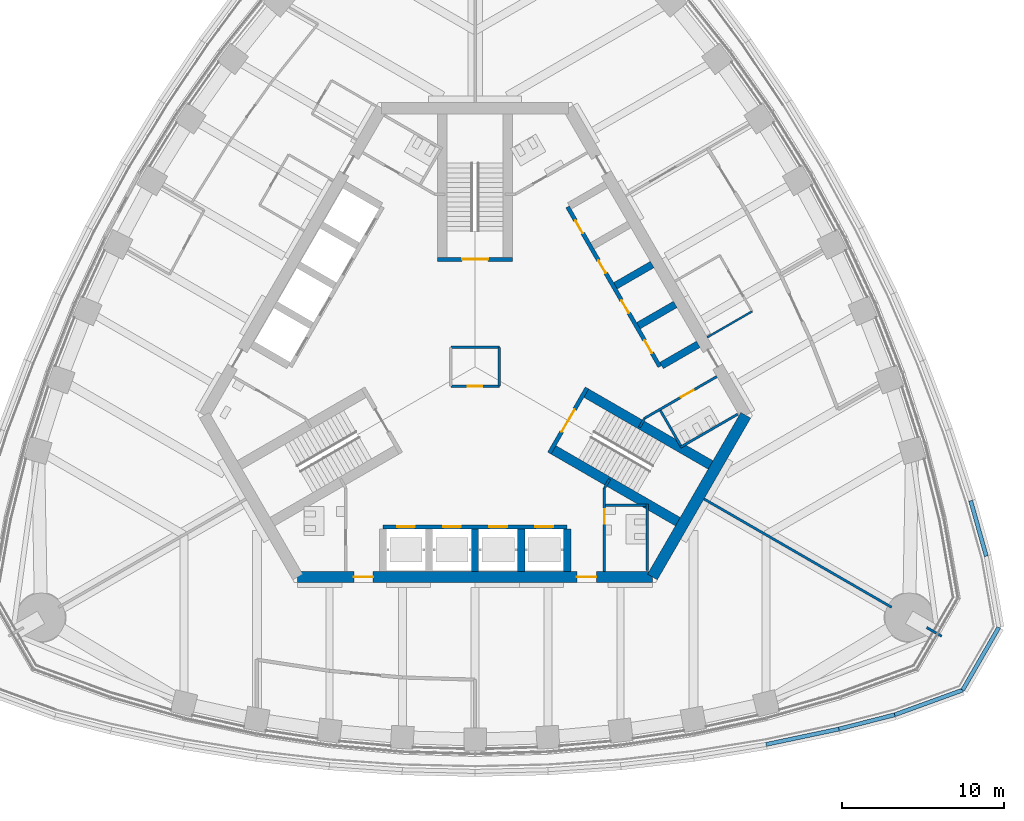
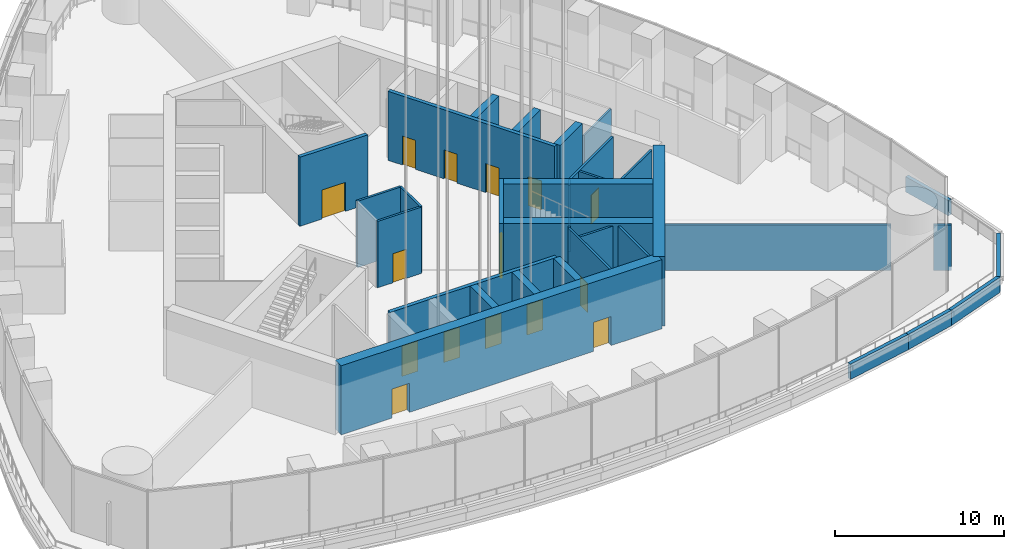
# One storey, part 10 of 26: 33 walls, 15 doors, 15 openings.
"""IFC4 building model written with IfcOpenShell, lengths in metres."""

from ifc_helpers import new_model, si_unit, direction, frame, frame_2d, origin, place, context, subcontext, project, spatial, rectangle, extrude, material, layer, layer_set, type_object, element, fill, save


model = new_model("IFC4")

# Units and contexts
model_context = context("Model", 3, precision=1e-05, world=origin(), true_north=direction((0.0, 1.0)))
body_context = subcontext(model_context, "Body", "Model", "MODEL_VIEW")
ifc_project = project(units=[si_unit("LENGTHUNIT", "METRE"), si_unit("AREAUNIT", "SQUARE_METRE"), si_unit("VOLUMEUNIT", "CUBIC_METRE"), si_unit("PLANEANGLEUNIT", "RADIAN"), si_unit("MASSUNIT", "GRAM", prefix="KILO")], contexts=[model_context])

# Site, building, storey
site_placement = place(None, origin())
site = spatial("IfcSite", under=ifc_project, at=site_placement, CompositionType="ELEMENT")
building_placement = place(site_placement, origin())
building = spatial("IfcBuilding", under=site, at=building_placement, Name="Trefoil Bronze Tower", CompositionType="ELEMENT")
storey_placement = place(building_placement, frame((0.0, 0.0, 271.300048828125)))
storey = spatial("IfcBuildingStorey", under=building, at=storey_placement, Name="L62", CompositionType="ELEMENT", Elevation=271.300048828125)

# Wall, openings, doors
ifc_material_1 = material(Name="Concrete B80", Category="concrete")
ifc_layer_1 = layer(ifc_material_1, 0.699951171875)
ifc_layer_set_1 = layer_set([ifc_layer_1], Name="Core wall 700")
wall_type_1 = type_object("IfcWallType", Name="Core wall 700", PredefinedType="SHEAR", material=ifc_layer_set_1)
wall_1_placement = place(storey_placement, frame((-10.9697265625, -13.0, 0.0), z_axis=(0.0, 0.0, 1.0), x_axis=(1.0, 0.0, 0.0)))
wall_1 = element("IfcWall", 1, at=wall_1_placement, inside=storey, type_object=wall_type_1, Name="Core long wall 1 L62", PredefinedType="SHEAR", context=body_context, shape_type="SweptSolid", body=[
    extrude(rectangle(XDim=21.939453125, YDim=0.699951171875, at=frame_2d((10.9697265625, 0.0))), origin(), (0.0, 0.0, 1.0), 5.0),
])
opening_1_placement = place(wall_1_placement, frame((17.269775390625, 0.0, 0.0)))
opening_1 = element("IfcOpeningElement", 2, at=opening_1_placement, cuts=wall_1, Name="Opening D2", PredefinedType="OPENING", context=body_context, shape_type="SweptSolid", body=[
    extrude(rectangle(XDim=1.199951171875, YDim=2.10009765625, at=frame_2d((0.60009765625, 1.050048828125))), frame((0.0, 0.35986328125, 0.0), z_axis=(0.0, -1.0, 0.0), x_axis=(1.0, 0.0, 0.0)), (0.0, 0.0, 1.0), 0.719970703125),
])
opening_2_placement = place(wall_1_placement, frame((3.4697265625, 0.0, 0.0)))
opening_2 = element("IfcOpeningElement", 3, at=opening_2_placement, cuts=wall_1, Name="Opening D2", PredefinedType="OPENING", context=body_context, shape_type="SweptSolid", body=[
    extrude(rectangle(XDim=1.199951171875, YDim=2.10009765625, at=frame_2d((0.60009765625, 1.050048828125))), frame((0.0, 0.35986328125, 0.0), z_axis=(0.0, -1.0, 0.0), x_axis=(1.0, 0.0, 0.0)), (0.0, 0.0, 1.0), 0.719970703125),
])
ifc_material_2 = material(Name="Steel door", Category="steel")
door_type_1 = type_object("IfcDoorType", Name="Lobby door 1200", OperationType="SINGLE_SWING_RIGHT", PredefinedType="DOOR", material=ifc_material_2)
door_1_placement = place(opening_1_placement, origin())
door_1 = element("IfcDoor", 4, at=door_1_placement, inside=storey, type_object=door_type_1, Name="Lobby door F1+ L62", OperationType="SINGLE_SWING_RIGHT", OverallHeight=2.10009765625, OverallWidth=1.199951171875, PredefinedType="DOOR", context=body_context, shape_type="SweptSolid", body=[
    extrude(rectangle(XDim=1.199951171875, YDim=2.10009765625, at=frame_2d((0.60009765625, 1.050048828125))), frame((0.0, 0.02490234375, 0.0), z_axis=(0.0, -1.0, 0.0), x_axis=(1.0, 0.0, 0.0)), (0.0, 0.0, 1.0), 0.050048828125),
])
fill(opening_1, door_1)
door_2_placement = place(opening_2_placement, origin())
door_2 = element("IfcDoor", 5, at=door_2_placement, inside=storey, type_object=door_type_1, Name="Lobby door F1- L62", OperationType="SINGLE_SWING_LEFT", OverallHeight=2.10009765625, OverallWidth=1.199951171875, PredefinedType="DOOR", context=body_context, shape_type="SweptSolid", body=[
    extrude(rectangle(XDim=1.199951171875, YDim=2.10009765625, at=frame_2d((0.60009765625, 1.050048828125))), frame((0.0, 0.02490234375, 0.0), z_axis=(0.0, -1.0, 0.0), x_axis=(1.0, 0.0, 0.0)), (0.0, 0.0, 1.0), 0.050048828125),
])
fill(opening_2, door_2)

# Walls
wall_2_placement = place(storey_placement, frame((10.9697265625, -13.0, 0.0), z_axis=(0.0, 0.0, 1.0), x_axis=(0.499995765644, 0.866027848477, 0.0)))
element("IfcWall", 6, at=wall_2_placement, inside=storey, type_object=wall_type_1, Name="Core short wall 1 L62", PredefinedType="SHEAR", context=body_context, shape_type="SweptSolid", body=[
    extrude(rectangle(XDim=11.546875, YDim=0.699951171875, at=frame_2d((5.7734375, 0.0))), origin(), (0.0, 0.0, 1.0), 5.0),
])
ifc_material_3 = material(Name="Glazed partition", Category="glass")
ifc_layer_2 = layer(ifc_material_3, 0.1201171875)
ifc_layer_set_2 = layer_set([ifc_layer_2], Name="Glazed partition 120")
wall_type_2 = type_object("IfcWallType", Name="Glazed partition 120", PredefinedType="PARTITIONING", material=ifc_layer_set_2)
wall_3_placement = place(storey_placement, frame((14.361328125, 1.8251953125, 0.0), z_axis=(0.0, 0.0, 1.0), x_axis=(0.866028054938, 0.499995408039, 0.0)))
element("IfcWall", 7, at=wall_3_placement, inside=storey, type_object=wall_type_2, Name="Partition F2 L62", PredefinedType="PARTITIONING", context=body_context, shape_type="SweptSolid", body=[
    extrude(rectangle(XDim=3.2001953125, YDim=0.1201171875, at=frame_2d((1.60009765625, 0.0))), origin(), (0.0, 0.0, 1.0), 3.599853515625),
])
ifc_material_4 = material(Name="Concrete B80", Category="concrete")
ifc_layer_3 = layer(ifc_material_4, 0.449951171875)
ifc_layer_set_3 = layer_set([ifc_layer_3], Name="Outrigger shaft wall 450")
wall_type_3 = type_object("IfcWallType", Name="Outrigger shaft wall 450", PredefinedType="SHEAR", material=ifc_layer_set_3)
for number, where, z_axis, x_axis, name in (
    (8, (0.0, -10.02490234375, 0.0), (0.0, 0.0, 1.0), (0.0, -1.0, 0.0), "Lift shaft side wall A2 L62"),
    (9, (2.85009765625, -10.02490234375, 0.0), (0.0, 0.0, 1.0), (0.0, -1.0, 0.0), "Lift shaft side wall A3 L62"),
    (10, (5.699951171875, -10.02490234375, 0.0), (0.0, 0.0, 1.0), (0.0, -1.0, 0.0), "Lift shaft side wall A4 L62"),
    (11, (11.531982421875, 0.076171875, 0.0), (0.0, 0.0, 1.0), (0.866013657776, 0.500020344131, 0.0), "Lift shaft side wall B0 L62"),
    (12, (10.10693359375, 2.54443359375, 0.0), (0.0, 0.0, 1.0), (0.866013657776, 0.500020344131, 0.0), "Lift shaft side wall B1 L62"),
    (13, (8.681884765625, 5.012451171875, 0.0), (0.0, 0.0, 1.0), (0.866036909293, 0.499980071345, 0.0), "Lift shaft side wall B2 L62"),
):
    element("IfcWall", number, at=place(storey_placement, frame(where, z_axis=z_axis, x_axis=x_axis)), inside=storey, type_object=wall_type_3, Name=name, PredefinedType="SHEAR", context=body_context, shape_type="SweptSolid", body=[
        extrude(rectangle(XDim=2.625, YDim=0.449951171875, at=frame_2d((1.3125, 0.0))), origin(), (0.0, 0.0, 1.0), 5.0),
    ])
ifc_material_5 = material(Name="Concrete B80", Category="concrete")
ifc_layer_4 = layer(ifc_material_5, 0.25)
ifc_layer_set_4 = layer_set([ifc_layer_4], Name="Parapet 250")
wall_type_4 = type_object("IfcWallType", Name="Parapet 250", PredefinedType="PARAPET", material=ifc_layer_set_4)
wall_4_placement = place(storey_placement, frame((18.0, -23.35791015625, 0.0), z_axis=(0.0, 0.0, 1.0), x_axis=(0.978393499054, 0.206751447418, 0.0)))
element("IfcWall", 14, at=wall_4_placement, inside=storey, type_object=wall_type_4, Name="Parapet L62.11", PredefinedType="PARAPET", context=body_context, shape_type="SweptSolid", body=[
    extrude(rectangle(XDim=4.599365234375, YDim=0.25, at=frame_2d((2.2998046875, 0.0))), origin(), (0.0, 0.0, 1.0), 1.099853515625),
])
wall_5_placement = place(storey_placement, frame((22.5, -22.406982421875, 0.0), z_axis=(0.0, 0.0, 1.0), x_axis=(0.968933780572, 0.247320296109, 0.0)))
element("IfcWall", 15, at=wall_5_placement, inside=storey, type_object=wall_type_4, Name="Parapet L62.12", PredefinedType="PARAPET", context=body_context, shape_type="SweptSolid", body=[
    extrude(rectangle(XDim=3.5634765625, YDim=0.25, at=frame_2d((1.78173828125, 0.0))), origin(), (0.0, 0.0, 1.0), 1.099853515625),
])
wall_6_placement = place(storey_placement, frame((25.952880859375, -21.525634765625, 0.0), z_axis=(0.0, 0.0, 1.0), x_axis=(0.939693029598, 0.34201902012, 0.0)))
element("IfcWall", 16, at=wall_6_placement, inside=storey, type_object=wall_type_4, Name="Parapet L62.13", PredefinedType="PARAPET", context=body_context, shape_type="SweptSolid", body=[
    extrude(rectangle(XDim=4.474853515625, YDim=0.25, at=frame_2d((2.2373046875, 0.0))), origin(), (0.0, 0.0, 1.0), 1.099853515625),
])
wall_7_placement = place(storey_placement, frame((30.157958984375, -19.9951171875, 0.0), z_axis=(0.0, 0.0, 1.0), x_axis=(0.49998850867, 0.866032038205, 0.0)))
element("IfcWall", 17, at=wall_7_placement, inside=storey, type_object=wall_type_4, Name="Parapet L62.14", PredefinedType="PARAPET", context=body_context, shape_type="SweptSolid", body=[
    extrude(rectangle(XDim=4.474609375, YDim=0.25, at=frame_2d((2.2373046875, 0.0))), origin(), (0.0, 0.0, 1.0), 1.099853515625),
])
wall_8_placement = place(storey_placement, frame((31.6181640625, -11.713134765625, 0.0), z_axis=(0.0, 0.0, 1.0), x_axis=(-0.270257504211, 0.962788077106, 0.0)))
element("IfcWall", 18, at=wall_8_placement, inside=storey, type_object=wall_type_4, Name="Parapet L62.16", PredefinedType="PARAPET", context=body_context, shape_type="SweptSolid", body=[
    extrude(rectangle(XDim=3.563720703125, YDim=0.25, at=frame_2d((1.78173828125, 0.0))), origin(), (0.0, 0.0, 1.0), 1.099853515625),
])

# Wall, opening, door
ifc_material_6 = material(Name="Gypsum board on steel studs", Category="steel")
ifc_layer_5 = layer(ifc_material_6, 0.14990234375)
ifc_layer_set_5 = layer_set([ifc_layer_5], Name="Partition 150")
wall_type_5 = type_object("IfcWallType", Name="Partition 150", PredefinedType="PARTITIONING", material=ifc_layer_set_5)
wall_9_placement = place(storey_placement, frame((8.0, -7.5, 0.0), z_axis=(0.0, 0.0, 1.0), x_axis=(0.0, -1.0, 0.0)))
wall_9 = element("IfcWall", 19, at=wall_9_placement, inside=storey, type_object=wall_type_5, Name="Passage wall F1+ L62", PredefinedType="PARTITIONING", context=body_context, shape_type="SweptSolid", body=[
    extrude(rectangle(XDim=5.14990234375, YDim=0.14990234375, at=frame_2d((2.574951171875, 0.0))), origin(), (0.0, 0.0, 1.0), 4.800048828125),
])
opening_3_placement = place(wall_9_placement, frame((1.300048828125, 0.0, 0.0)))
opening_3 = element("IfcOpeningElement", 20, at=opening_3_placement, cuts=wall_9, Name="Opening D3", PredefinedType="OPENING", context=body_context, shape_type="SweptSolid", body=[
    extrude(rectangle(XDim=0.89990234375, YDim=2.10009765625, at=frame_2d((0.449951171875, 1.050048828125))), frame((0.0, 0.0849609375, 0.0), z_axis=(0.0, -1.0, 0.0), x_axis=(1.0, 0.0, 0.0)), (0.0, 0.0, 1.0), 0.169921875),
])
ifc_material_7 = material(Name="Timber door", Category="wood")
door_type_2 = type_object("IfcDoorType", Name="WC door 900", OperationType="SINGLE_SWING_LEFT", PredefinedType="DOOR", material=ifc_material_7)
door_3_placement = place(opening_3_placement, origin())
door_3 = element("IfcDoor", 21, at=door_3_placement, inside=storey, type_object=door_type_2, Name="WC (men) door L62", OperationType="SINGLE_SWING_LEFT", OverallHeight=2.10009765625, OverallWidth=0.89990234375, PredefinedType="DOOR", context=body_context, shape_type="SweptSolid", body=[
    extrude(rectangle(XDim=0.89990234375, YDim=2.10009765625, at=frame_2d((0.449951171875, 1.050048828125))), frame((0.0, 0.02490234375, 0.0), z_axis=(0.0, -1.0, 0.0), x_axis=(1.0, 0.0, 0.0)), (0.0, 0.0, 1.0), 0.050048828125),
])
fill(opening_3, door_3)

wall_10_placement = place(storey_placement, frame((10.4951171875, -3.17822265625, 0.0), z_axis=(0.0, 0.0, 1.0), x_axis=(0.866037967349, 0.499978238636, 0.0)))
wall_10 = element("IfcWall", 22, at=wall_10_placement, inside=storey, type_object=wall_type_5, Name="Passage wall F2- L62", PredefinedType="PARTITIONING", context=body_context, shape_type="SweptSolid", body=[
    extrude(rectangle(XDim=5.150146484375, YDim=0.14990234375, at=frame_2d((2.5751953125, 0.0))), origin(), (0.0, 0.0, 1.0), 4.800048828125),
])
opening_4_placement = place(wall_10_placement, frame((2.60009765625, 0.0, 0.0)))
opening_4 = element("IfcOpeningElement", 23, at=opening_4_placement, cuts=wall_10, Name="Opening D3", PredefinedType="OPENING", context=body_context, shape_type="SweptSolid", body=[
    extrude(rectangle(XDim=0.89990234375, YDim=2.10009765625, at=frame_2d((0.449951171875, 1.050048828125))), frame((0.0, 0.0849609375, 0.0), z_axis=(0.0, -1.0, 0.0), x_axis=(1.0, 0.0, 0.0)), (0.0, 0.0, 1.0), 0.169921875),
])
door_4_placement = place(opening_4_placement, frame((0.89990234375, 0.0, 0.0), z_axis=(0.0, 0.0, 1.0), x_axis=(-1.0, 0.0, 0.0)))
door_4 = element("IfcDoor", 24, at=door_4_placement, inside=storey, type_object=door_type_2, Name="WC (women) door L62", OperationType="SINGLE_SWING_RIGHT", OverallHeight=2.10009765625, OverallWidth=0.89990234375, PredefinedType="DOOR", context=body_context, shape_type="SweptSolid", body=[
    extrude(rectangle(XDim=0.89990234375, YDim=2.10009765625, at=frame_2d((0.449951171875, 1.050048828125))), frame((0.0, 0.02490234375, 0.0), z_axis=(0.0, -1.0, 0.0), x_axis=(1.0, 0.0, 0.0)), (0.0, 0.0, 1.0), 0.050048828125),
])
fill(opening_4, door_4)

# Walls
for number, where, z_axis, x_axis, name in (
    (25, (8.0, -7.5, 0.0), (0.0, 0.0, 1.0), (0.499842556608, 0.866116284689, 0.0), "WC wall ST1-1 L62"),
    (26, (10.4951171875, -3.17822265625, 0.0), (0.0, 0.0, 1.0), (-0.499842556608, -0.866116284689, 0.0), "WC wall ST1+1 L62"),
):
    element("IfcWall", number, at=place(storey_placement, frame(where, z_axis=z_axis, x_axis=x_axis)), inside=storey, type_object=wall_type_5, Name=name, PredefinedType="PARTITIONING", context=body_context, shape_type="SweptSolid", body=[
        extrude(rectangle(XDim=0.645263671875, YDim=0.14990234375, at=frame_2d((0.32275390625, 0.0))), origin(), (0.0, 0.0, 1.0), 4.800048828125),
    ])
wall_11_placement = place(storey_placement, frame((10.659912109375, -8.5, 0.0), z_axis=(0.0, 0.0, 1.0), x_axis=(0.0, -1.0, 0.0)))
element("IfcWall", 27, at=wall_11_placement, inside=storey, type_object=wall_type_5, Name="WC partition WC (men) L62", PredefinedType="PARTITIONING", context=body_context, shape_type="SweptSolid", body=[
    extrude(rectangle(XDim=4.10009765625, YDim=0.14990234375, at=frame_2d((2.050048828125, 0.0))), origin(), (0.0, 0.0, 1.0), 4.800048828125),
])
wall_12_placement = place(storey_placement, frame((8.074951171875, -8.574951171875, 0.0), z_axis=(0.0, 0.0, 1.0), x_axis=(1.0, 0.0, 0.0)))
element("IfcWall", 28, at=wall_12_placement, inside=storey, type_object=wall_type_5, Name="WC partition WC (men) L62", PredefinedType="PARTITIONING", context=body_context, shape_type="SweptSolid", body=[
    extrude(rectangle(XDim=2.510009765625, YDim=0.14990234375, at=frame_2d((1.2548828125, 0.0))), origin(), (0.0, 0.0, 1.0), 4.800048828125),
])
wall_13_placement = place(storey_placement, frame((12.691162109375, -4.98193359375, 0.0), z_axis=(0.0, 0.0, 1.0), x_axis=(0.8660249478, 0.500000789788, 0.0)))
element("IfcWall", 29, at=wall_13_placement, inside=storey, type_object=wall_type_5, Name="WC partition WC (women) L62", PredefinedType="PARTITIONING", context=body_context, shape_type="SweptSolid", body=[
    extrude(rectangle(XDim=4.10009765625, YDim=0.14990234375, at=frame_2d((2.050048828125, 0.0))), origin(), (0.0, 0.0, 1.0), 4.800048828125),
])
wall_14_placement = place(storey_placement, frame((11.463623046875, -2.70556640625, 0.0), z_axis=(0.0, 0.0, 1.0), x_axis=(0.50001992892, -0.866013897511, 0.0)))
element("IfcWall", 30, at=wall_14_placement, inside=storey, type_object=wall_type_5, Name="WC partition WC (women) L62", PredefinedType="PARTITIONING", context=body_context, shape_type="SweptSolid", body=[
    extrude(rectangle(XDim=2.51025390625, YDim=0.14990234375, at=frame_2d((1.255126953125, 0.0))), origin(), (0.0, 0.0, 1.0), 4.800048828125),
])
ifc_material_8 = material(Name="Gypsum board on steel studs", Category="steel")
ifc_layer_6 = layer(ifc_material_8, 0.14990234375)
ifc_layer_set_6 = layer_set([ifc_layer_6], Name="Party wall 150")
wall_type_6 = type_object("IfcWallType", Name="Party wall 150", PredefinedType="PARTITIONING", material=ifc_layer_set_6)
wall_15_placement = place(storey_placement, frame((14.159423828125, -8.175048828125, 0.0), z_axis=(0.0, 0.0, 1.0), x_axis=(0.866026905467, -0.499997399001, 0.0)))
element("IfcWall", 31, at=wall_15_placement, inside=storey, type_object=wall_type_6, Name="Party wall K1 L62", PredefinedType="PARTITIONING", context=body_context, shape_type="SweptSolid", body=[
    extrude(rectangle(XDim=13.39990234375, YDim=0.14990234375, at=frame_2d((6.699951171875, 0.0))), origin(), (0.0, 0.0, 1.0), 3.300048828125),
])
wall_16_placement = place(storey_placement, frame((27.92919921875, -16.125, 0.0), z_axis=(0.0, 0.0, 1.0), x_axis=(0.866086810508, -0.499893625349, 0.0)))
element("IfcWall", 32, at=wall_16_placement, inside=storey, type_object=wall_type_6, Name="Party wall K1 L62", PredefinedType="PARTITIONING", context=body_context, shape_type="SweptSolid", body=[
    extrude(rectangle(XDim=1.070068359375, YDim=0.14990234375, at=frame_2d((0.53515625, 0.0))), origin(), (0.0, 0.0, 1.0), 3.300048828125),
])

# Wall, opening, door
ifc_material_9 = material(Name="Gypsum board on steel studs", Category="steel")
ifc_layer_7 = layer(ifc_material_9, 0.14990234375)
ifc_layer_set_7 = layer_set([ifc_layer_7], Name="Riser wall 150")
wall_type_7 = type_object("IfcWallType", Name="Riser wall 150", PredefinedType="PARTITIONING", material=ifc_layer_set_7)
wall_17_placement = place(storey_placement, frame((-1.5, -1.199951171875, 0.0), z_axis=(0.0, 0.0, 1.0), x_axis=(1.0, 0.0, 0.0)))
wall_17 = element("IfcWall", 33, at=wall_17_placement, inside=storey, type_object=wall_type_7, Name="Riser wall L62", PredefinedType="PARTITIONING", context=body_context, shape_type="SweptSolid", body=[
    extrude(rectangle(XDim=3.0, YDim=0.14990234375, at=frame_2d((1.5, 0.0))), origin(), (0.0, 0.0, 1.0), 4.800048828125),
])
opening_5_placement = place(wall_17_placement, frame((1.050048828125, 0.0, 0.0)))
opening_5 = element("IfcOpeningElement", 34, at=opening_5_placement, cuts=wall_17, Name="Opening D4", PredefinedType="OPENING", context=body_context, shape_type="SweptSolid", body=[
    extrude(rectangle(XDim=0.89990234375, YDim=2.10009765625, at=frame_2d((0.449951171875, 1.050048828125))), frame((0.0, 0.0849609375, 0.0), z_axis=(0.0, -1.0, 0.0), x_axis=(1.0, 0.0, 0.0)), (0.0, 0.0, 1.0), 0.169921875),
])
ifc_material_10 = material(Name="Steel door", Category="steel")
door_type_3 = type_object("IfcDoorType", Name="Riser door 900", OperationType="SINGLE_SWING_LEFT", PredefinedType="DOOR", material=ifc_material_10)
door_5_placement = place(opening_5_placement, frame((0.89990234375, 0.0, 0.0), z_axis=(0.0, 0.0, 1.0), x_axis=(-1.0, 0.0, 0.0)))
door_5 = element("IfcDoor", 35, at=door_5_placement, inside=storey, type_object=door_type_3, Name="Riser door L62", OperationType="SINGLE_SWING_LEFT", OverallHeight=2.10009765625, OverallWidth=0.89990234375, PredefinedType="DOOR", context=body_context, shape_type="SweptSolid", body=[
    extrude(rectangle(XDim=0.89990234375, YDim=2.10009765625, at=frame_2d((0.449951171875, 1.050048828125))), frame((0.0, 0.02490234375, 0.0), z_axis=(0.0, -1.0, 0.0), x_axis=(1.0, 0.0, 0.0)), (0.0, 0.0, 1.0), 0.050048828125),
])
fill(opening_5, door_5)

# Walls
wall_18_placement = place(storey_placement, frame((1.5, -1.199951171875, 0.0), z_axis=(0.0, 0.0, 1.0), x_axis=(0.0, 1.0, 0.0)))
element("IfcWall", 36, at=wall_18_placement, inside=storey, type_object=wall_type_7, Name="Riser wall L62", PredefinedType="PARTITIONING", context=body_context, shape_type="SweptSolid", body=[
    extrude(rectangle(XDim=2.39990234375, YDim=0.14990234375, at=frame_2d((1.199951171875, 0.0))), origin(), (0.0, 0.0, 1.0), 4.800048828125),
])
wall_19_placement = place(storey_placement, frame((1.5, 1.199951171875, 0.0), z_axis=(0.0, 0.0, 1.0), x_axis=(-1.0, 0.0, 0.0)))
element("IfcWall", 37, at=wall_19_placement, inside=storey, type_object=wall_type_7, Name="Riser wall L62", PredefinedType="PARTITIONING", context=body_context, shape_type="SweptSolid", body=[
    extrude(rectangle(XDim=3.0, YDim=0.14990234375, at=frame_2d((1.5, 0.0))), origin(), (0.0, 0.0, 1.0), 4.800048828125),
])

# Wall, openings, doors
ifc_material_11 = material(Name="Concrete B80", Category="concrete")
ifc_layer_8 = layer(ifc_material_11, 0.25)
ifc_layer_set_8 = layer_set([ifc_layer_8], Name="Shaft wall 250")
wall_type_8 = type_object("IfcWallType", Name="Shaft wall 250", PredefinedType="SHEAR", material=ifc_layer_set_8)
wall_20_placement = place(storey_placement, frame((-5.699951171875, -9.89990234375, 0.0), z_axis=(0.0, 0.0, 1.0), x_axis=(1.0, 0.0, 0.0)))
wall_20 = element("IfcWall", 38, at=wall_20_placement, inside=storey, type_object=wall_type_8, Name="Lift shaft front wall A L62", PredefinedType="SHEAR", context=body_context, shape_type="SweptSolid", body=[
    extrude(rectangle(XDim=11.39990234375, YDim=0.25, at=frame_2d((5.699951171875, 0.0))), origin(), (0.0, 0.0, 1.0), 5.0),
])
opening_6_placement = place(wall_20_placement, frame((0.875, 0.0, 0.0)))
opening_6 = element("IfcOpeningElement", 39, at=opening_6_placement, cuts=wall_20, Name="Opening LD-P41", PredefinedType="OPENING", context=body_context, shape_type="SweptSolid", body=[
    extrude(rectangle(XDim=1.10009765625, YDim=2.199951171875, at=frame_2d((0.550048828125, 1.10009765625))), frame((0.0, 0.135009765625, 0.0), z_axis=(0.0, -1.0, 0.0), x_axis=(1.0, 0.0, 0.0)), (0.0, 0.0, 1.0), 0.27001953125),
])
opening_7_placement = place(wall_20_placement, frame((3.72509765625, 0.0, 0.0)))
opening_7 = element("IfcOpeningElement", 40, at=opening_7_placement, cuts=wall_20, Name="Opening LD-P42", PredefinedType="OPENING", context=body_context, shape_type="SweptSolid", body=[
    extrude(rectangle(XDim=1.10009765625, YDim=2.199951171875, at=frame_2d((0.550048828125, 1.10009765625))), frame((0.0, 0.135009765625, 0.0), z_axis=(0.0, -1.0, 0.0), x_axis=(1.0, 0.0, 0.0)), (0.0, 0.0, 1.0), 0.27001953125),
])
opening_8_placement = place(wall_20_placement, frame((6.574951171875, 0.0, 0.0)))
opening_8 = element("IfcOpeningElement", 41, at=opening_8_placement, cuts=wall_20, Name="Opening LD-P43", PredefinedType="OPENING", context=body_context, shape_type="SweptSolid", body=[
    extrude(rectangle(XDim=1.10009765625, YDim=2.199951171875, at=frame_2d((0.550048828125, 1.10009765625))), frame((0.0, 0.135009765625, 0.0), z_axis=(0.0, -1.0, 0.0), x_axis=(1.0, 0.0, 0.0)), (0.0, 0.0, 1.0), 0.27001953125),
])
opening_9_placement = place(wall_20_placement, frame((9.425048828125, 0.0, 0.0)))
opening_9 = element("IfcOpeningElement", 42, at=opening_9_placement, cuts=wall_20, Name="Opening LD-P44", PredefinedType="OPENING", context=body_context, shape_type="SweptSolid", body=[
    extrude(rectangle(XDim=1.10009765625, YDim=2.199951171875, at=frame_2d((0.550048828125, 1.10009765625))), frame((0.0, 0.135009765625, 0.0), z_axis=(0.0, -1.0, 0.0), x_axis=(1.0, 0.0, 0.0)), (0.0, 0.0, 1.0), 0.27001953125),
])
ifc_material_12 = material(Name="Steel door", Category="steel")
door_type_4 = type_object("IfcDoorType", Name="Lift landing door 1100", OperationType="DOUBLE_DOOR_SLIDING", PredefinedType="DOOR", material=ifc_material_12)
door_6_placement = place(opening_6_placement, origin())
door_6 = element("IfcDoor", 43, at=door_6_placement, inside=storey, type_object=door_type_4, Name="Lift P41 landing door L62", OperationType="DOUBLE_DOOR_SLIDING", OverallHeight=2.199951171875, OverallWidth=1.10009765625, PredefinedType="DOOR", context=body_context, shape_type="SweptSolid", body=[
    extrude(rectangle(XDim=1.10009765625, YDim=2.199951171875, at=frame_2d((0.550048828125, 1.10009765625))), frame((0.0, 0.02490234375, 0.0), z_axis=(0.0, -1.0, 0.0), x_axis=(1.0, 0.0, 0.0)), (0.0, 0.0, 1.0), 0.050048828125),
])
fill(opening_6, door_6)
door_7_placement = place(opening_7_placement, origin())
door_7 = element("IfcDoor", 44, at=door_7_placement, inside=storey, type_object=door_type_4, Name="Lift P42 landing door L62", OperationType="DOUBLE_DOOR_SLIDING", OverallHeight=2.199951171875, OverallWidth=1.10009765625, PredefinedType="DOOR", context=body_context, shape_type="SweptSolid", body=[
    extrude(rectangle(XDim=1.10009765625, YDim=2.199951171875, at=frame_2d((0.550048828125, 1.10009765625))), frame((0.0, 0.02490234375, 0.0), z_axis=(0.0, -1.0, 0.0), x_axis=(1.0, 0.0, 0.0)), (0.0, 0.0, 1.0), 0.050048828125),
])
fill(opening_7, door_7)
door_8_placement = place(opening_8_placement, origin())
door_8 = element("IfcDoor", 45, at=door_8_placement, inside=storey, type_object=door_type_4, Name="Lift P43 landing door L62", OperationType="DOUBLE_DOOR_SLIDING", OverallHeight=2.199951171875, OverallWidth=1.10009765625, PredefinedType="DOOR", context=body_context, shape_type="SweptSolid", body=[
    extrude(rectangle(XDim=1.10009765625, YDim=2.199951171875, at=frame_2d((0.550048828125, 1.10009765625))), frame((0.0, 0.02490234375, 0.0), z_axis=(0.0, -1.0, 0.0), x_axis=(1.0, 0.0, 0.0)), (0.0, 0.0, 1.0), 0.050048828125),
])
fill(opening_8, door_8)
door_9_placement = place(opening_9_placement, origin())
door_9 = element("IfcDoor", 46, at=door_9_placement, inside=storey, type_object=door_type_4, Name="Lift P44 landing door L62", OperationType="DOUBLE_DOOR_SLIDING", OverallHeight=2.199951171875, OverallWidth=1.10009765625, PredefinedType="DOOR", context=body_context, shape_type="SweptSolid", body=[
    extrude(rectangle(XDim=1.10009765625, YDim=2.199951171875, at=frame_2d((0.550048828125, 1.10009765625))), frame((0.0, 0.02490234375, 0.0), z_axis=(0.0, -1.0, 0.0), x_axis=(1.0, 0.0, 0.0)), (0.0, 0.0, 1.0), 0.050048828125),
])
fill(opening_9, door_9)

wall_21_placement = place(storey_placement, frame((11.423583984375, 0.013671875, 0.0), z_axis=(0.0, 0.0, 1.0), x_axis=(-0.500001763848, 0.866024385424, 0.0)))
wall_21 = element("IfcWall", 47, at=wall_21_placement, inside=storey, type_object=wall_type_8, Name="Lift shaft front wall B L62", PredefinedType="SHEAR", context=body_context, shape_type="SweptSolid", body=[
    extrude(rectangle(XDim=11.39990234375, YDim=0.25, at=frame_2d((5.699951171875, 0.0))), origin(), (0.0, 0.0, 1.0), 5.0),
])
opening_10_placement = place(wall_21_placement, frame((0.97509765625, 0.0, 0.0)))
opening_10 = element("IfcOpeningElement", 48, at=opening_10_placement, cuts=wall_21, Name="Opening D12", PredefinedType="OPENING", context=body_context, shape_type="SweptSolid", body=[
    extrude(rectangle(XDim=0.89990234375, YDim=2.10009765625, at=frame_2d((0.449951171875, 1.050048828125))), frame((0.0, 0.135009765625, 0.0), z_axis=(0.0, -1.0, 0.0), x_axis=(1.0, 0.0, 0.0)), (0.0, 0.0, 1.0), 0.27001953125),
])
opening_11_placement = place(wall_21_placement, frame((3.824951171875, 0.0, 0.0)))
opening_11 = element("IfcOpeningElement", 49, at=opening_11_placement, cuts=wall_21, Name="Opening D12", PredefinedType="OPENING", context=body_context, shape_type="SweptSolid", body=[
    extrude(rectangle(XDim=0.89990234375, YDim=2.10009765625, at=frame_2d((0.449951171875, 1.050048828125))), frame((0.0, 0.135009765625, 0.0), z_axis=(0.0, -1.0, 0.0), x_axis=(1.0, 0.0, 0.0)), (0.0, 0.0, 1.0), 0.27001953125),
])
opening_12_placement = place(wall_21_placement, frame((6.675048828125, 0.0, 0.0)))
opening_12 = element("IfcOpeningElement", 50, at=opening_12_placement, cuts=wall_21, Name="Opening D12", PredefinedType="OPENING", context=body_context, shape_type="SweptSolid", body=[
    extrude(rectangle(XDim=0.89990234375, YDim=2.10009765625, at=frame_2d((0.449951171875, 1.050048828125))), frame((0.0, 0.135009765625, 0.0), z_axis=(0.0, -1.0, 0.0), x_axis=(1.0, 0.0, 0.0)), (0.0, 0.0, 1.0), 0.27001953125),
])
opening_13_placement = place(wall_21_placement, frame((9.52490234375, 0.0, 0.0)))
opening_13 = element("IfcOpeningElement", 51, at=opening_13_placement, cuts=wall_21, Name="Opening D12", PredefinedType="OPENING", context=body_context, shape_type="SweptSolid", body=[
    extrude(rectangle(XDim=0.89990234375, YDim=2.10009765625, at=frame_2d((0.449951171875, 1.050048828125))), frame((0.0, 0.135009765625, 0.0), z_axis=(0.0, -1.0, 0.0), x_axis=(1.0, 0.0, 0.0)), (0.0, 0.0, 1.0), 0.27001953125),
])
ifc_material_13 = material(Name="Steel door", Category="steel")
door_type_5 = type_object("IfcDoorType", Name="Shaft room door 900", OperationType="SINGLE_SWING_LEFT", PredefinedType="DOOR", material=ifc_material_13)
door_10_placement = place(opening_10_placement, frame((0.89990234375, 0.0, 0.0), z_axis=(0.0, 0.0, 1.0), x_axis=(-1.0, 0.0, 0.0)))
door_10 = element("IfcDoor", 52, at=door_10_placement, inside=storey, type_object=door_type_5, Name="Shaft room door B1 L62", OperationType="SINGLE_SWING_LEFT", OverallHeight=2.10009765625, OverallWidth=0.89990234375, PredefinedType="DOOR", context=body_context, shape_type="SweptSolid", body=[
    extrude(rectangle(XDim=0.89990234375, YDim=2.10009765625, at=frame_2d((0.449951171875, 1.050048828125))), frame((0.0, 0.02490234375, 0.0), z_axis=(0.0, -1.0, 0.0), x_axis=(1.0, 0.0, 0.0)), (0.0, 0.0, 1.0), 0.050048828125),
])
fill(opening_10, door_10)
door_11_placement = place(opening_11_placement, frame((0.89990234375, 0.0, 0.0), z_axis=(0.0, 0.0, 1.0), x_axis=(-1.0, 0.0, 0.0)))
door_11 = element("IfcDoor", 53, at=door_11_placement, inside=storey, type_object=door_type_5, Name="Shaft room door B2 L62", OperationType="SINGLE_SWING_RIGHT", OverallHeight=2.10009765625, OverallWidth=0.89990234375, PredefinedType="DOOR", context=body_context, shape_type="SweptSolid", body=[
    extrude(rectangle(XDim=0.89990234375, YDim=2.10009765625, at=frame_2d((0.449951171875, 1.050048828125))), frame((0.0, 0.02490234375, 0.0), z_axis=(0.0, -1.0, 0.0), x_axis=(1.0, 0.0, 0.0)), (0.0, 0.0, 1.0), 0.050048828125),
])
fill(opening_11, door_11)
door_12_placement = place(opening_12_placement, frame((0.89990234375, 0.0, 0.0), z_axis=(0.0, 0.0, 1.0), x_axis=(-1.0, 0.0, 0.0)))
door_12 = element("IfcDoor", 54, at=door_12_placement, inside=storey, type_object=door_type_5, Name="Shaft room door B3 L62", OperationType="SINGLE_SWING_RIGHT", OverallHeight=2.10009765625, OverallWidth=0.89990234375, PredefinedType="DOOR", context=body_context, shape_type="SweptSolid", body=[
    extrude(rectangle(XDim=0.89990234375, YDim=2.10009765625, at=frame_2d((0.449951171875, 1.050048828125))), frame((0.0, 0.02490234375, 0.0), z_axis=(0.0, -1.0, 0.0), x_axis=(1.0, 0.0, 0.0)), (0.0, 0.0, 1.0), 0.050048828125),
])
fill(opening_12, door_12)
door_13_placement = place(opening_13_placement, frame((0.89990234375, 0.0, 0.0), z_axis=(0.0, 0.0, 1.0), x_axis=(-1.0, 0.0, 0.0)))
door_13 = element("IfcDoor", 55, at=door_13_placement, inside=storey, type_object=door_type_5, Name="Shaft room door B4 L62", OperationType="SINGLE_SWING_RIGHT", OverallHeight=2.10009765625, OverallWidth=0.89990234375, PredefinedType="DOOR", context=body_context, shape_type="SweptSolid", body=[
    extrude(rectangle(XDim=0.89990234375, YDim=2.10009765625, at=frame_2d((0.449951171875, 1.050048828125))), frame((0.0, 0.02490234375, 0.0), z_axis=(0.0, -1.0, 0.0), x_axis=(1.0, 0.0, 0.0)), (0.0, 0.0, 1.0), 0.050048828125),
])
fill(opening_13, door_13)

# Wall, opening, door
wall_22_placement = place(storey_placement, frame((4.5966796875, -5.338623046875, 0.0), z_axis=(0.0, 0.0, 1.0), x_axis=(0.499984536904, 0.866034331223, 0.0)))
wall_22 = element("IfcWall", 56, at=wall_22_placement, inside=storey, type_object=wall_type_8, Name="Stair end wall ST1 L62", PredefinedType="SHEAR", context=body_context, shape_type="SweptSolid", body=[
    extrude(rectangle(XDim=4.650146484375, YDim=0.25, at=frame_2d((2.3251953125, 0.0))), origin(), (0.0, 0.0, 1.0), 5.0),
])
opening_14_placement = place(wall_22_placement, frame((1.52490234375, 0.0, 0.0)))
opening_14 = element("IfcOpeningElement", 57, at=opening_14_placement, cuts=wall_22, Name="Opening D1", PredefinedType="OPENING", context=body_context, shape_type="SweptSolid", body=[
    extrude(rectangle(XDim=1.60009765625, YDim=2.10009765625, at=frame_2d((0.800048828125, 1.050048828125))), frame((0.0, 0.135009765625, 0.0), z_axis=(0.0, -1.0, 0.0), x_axis=(1.0, 0.0, 0.0)), (0.0, 0.0, 1.0), 0.27001953125),
])
ifc_material_14 = material(Name="Steel door", Category="steel")
door_type_6 = type_object("IfcDoorType", Name="Stair door 1600", OperationType="DOUBLE_DOOR_SINGLE_SWING", PredefinedType="DOOR", material=ifc_material_14)
door_14_placement = place(opening_14_placement, frame((1.60009765625, 0.0, 0.0), z_axis=(0.0, 0.0, 1.0), x_axis=(-1.0, 0.0, 0.0)))
door_14 = element("IfcDoor", 58, at=door_14_placement, inside=storey, type_object=door_type_6, Name="Stair door ST1 L62", OperationType="DOUBLE_DOOR_SINGLE_SWING", OverallHeight=2.10009765625, OverallWidth=1.60009765625, PredefinedType="DOOR", context=body_context, shape_type="SweptSolid", body=[
    extrude(rectangle(XDim=1.60009765625, YDim=2.10009765625, at=frame_2d((0.800048828125, 1.050048828125))), frame((0.0, 0.02490234375, 0.0), z_axis=(0.0, -1.0, 0.0), x_axis=(1.0, 0.0, 0.0)), (0.0, 0.0, 1.0), 0.050048828125),
])
fill(opening_14, door_14)

wall_23_placement = place(storey_placement, frame((2.324951171875, 6.64990234375, 0.0), z_axis=(0.0, 0.0, 1.0), x_axis=(-1.0, 0.0, 0.0)))
wall_23 = element("IfcWall", 59, at=wall_23_placement, inside=storey, type_object=wall_type_8, Name="Stair end wall ST2 L62", PredefinedType="SHEAR", context=body_context, shape_type="SweptSolid", body=[
    extrude(rectangle(XDim=4.64990234375, YDim=0.25, at=frame_2d((2.324951171875, 0.0))), origin(), (0.0, 0.0, 1.0), 5.0),
])
opening_15_placement = place(wall_23_placement, frame((1.52490234375, 0.0, 0.0)))
opening_15 = element("IfcOpeningElement", 60, at=opening_15_placement, cuts=wall_23, Name="Opening D1", PredefinedType="OPENING", context=body_context, shape_type="SweptSolid", body=[
    extrude(rectangle(XDim=1.60009765625, YDim=2.10009765625, at=frame_2d((0.800048828125, 1.050048828125))), frame((0.0, 0.135009765625, 0.0), z_axis=(0.0, -1.0, 0.0), x_axis=(1.0, 0.0, 0.0)), (0.0, 0.0, 1.0), 0.27001953125),
])
door_15_placement = place(opening_15_placement, frame((1.60009765625, 0.0, 0.0), z_axis=(0.0, 0.0, 1.0), x_axis=(-1.0, 0.0, 0.0)))
door_15 = element("IfcDoor", 61, at=door_15_placement, inside=storey, type_object=door_type_6, Name="Stair door ST2 L62", OperationType="DOUBLE_DOOR_SINGLE_SWING", OverallHeight=2.10009765625, OverallWidth=1.60009765625, PredefinedType="DOOR", context=body_context, shape_type="SweptSolid", body=[
    extrude(rectangle(XDim=1.60009765625, YDim=2.10009765625, at=frame_2d((0.800048828125, 1.050048828125))), frame((0.0, 0.02490234375, 0.0), z_axis=(0.0, -1.0, 0.0), x_axis=(1.0, 0.0, 0.0)), (0.0, 0.0, 1.0), 0.050048828125),
])
fill(opening_15, door_15)

# Walls
ifc_material_15 = material(Name="Concrete B80", Category="concrete")
ifc_layer_9 = layer(ifc_material_15, 0.60009765625)
ifc_layer_set_9 = layer_set([ifc_layer_9], Name="Stair wall 600")
wall_type_9 = type_object("IfcWallType", Name="Stair wall 600", PredefinedType="SHEAR", material=ifc_layer_set_9)
for number, where, z_axis, x_axis, name in (
    (62, (4.638427734375, -5.01611328125, 0.0), (0.0, 0.0, 1.0), (0.866021621257, -0.500006551472, 0.0), "Stair wall ST1 L62"),
    (63, (6.663330078125, -1.5087890625, 0.0), (0.0, 0.0, 1.0), (0.866028310072, -0.499994966129, 0.0), "Stair wall ST1 L62"),
):
    element("IfcWall", number, at=place(storey_placement, frame(where, z_axis=z_axis, x_axis=x_axis)), inside=storey, type_object=wall_type_9, Name=name, PredefinedType="SHEAR", context=body_context, shape_type="SweptSolid", body=[
        extrude(rectangle(XDim=9.125, YDim=0.60009765625, at=frame_2d((4.5625, 0.0))), origin(), (0.0, 0.0, 1.0), 5.0),
    ])

save(model, "model.ifc")
